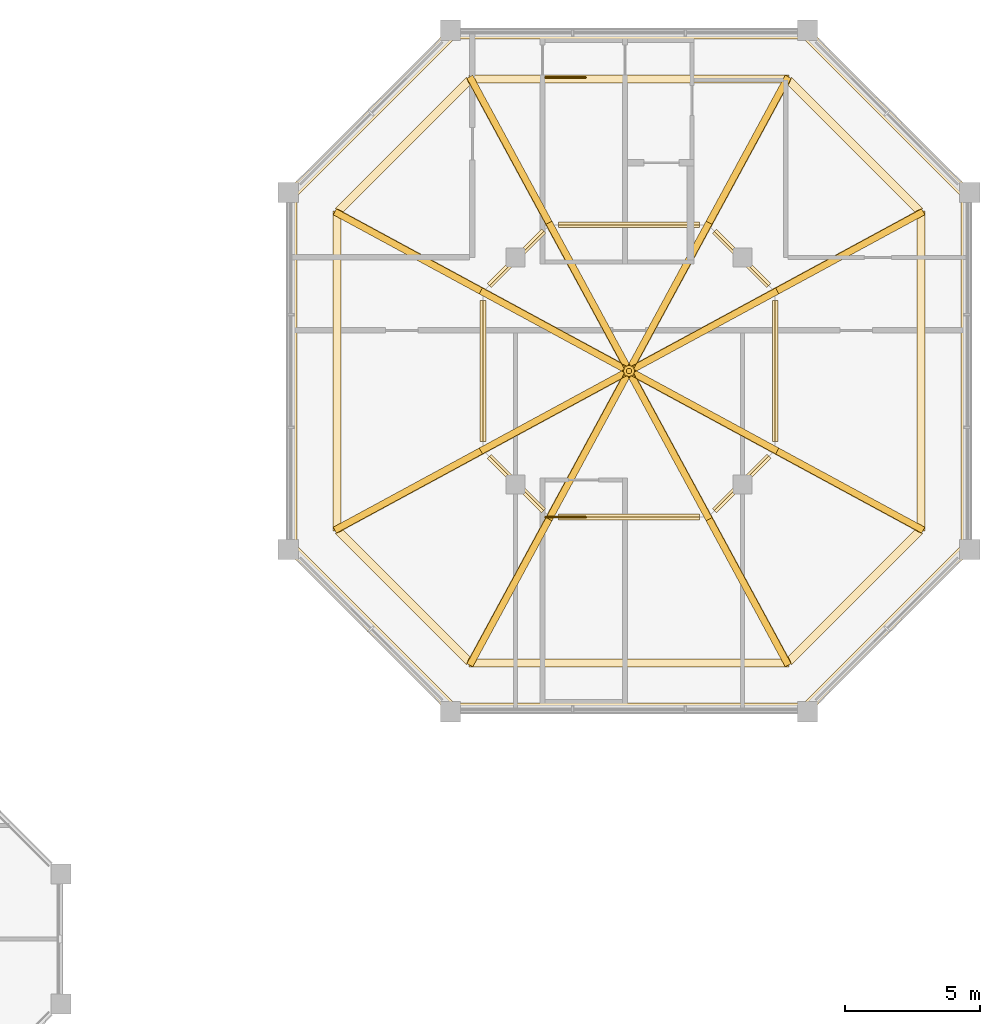
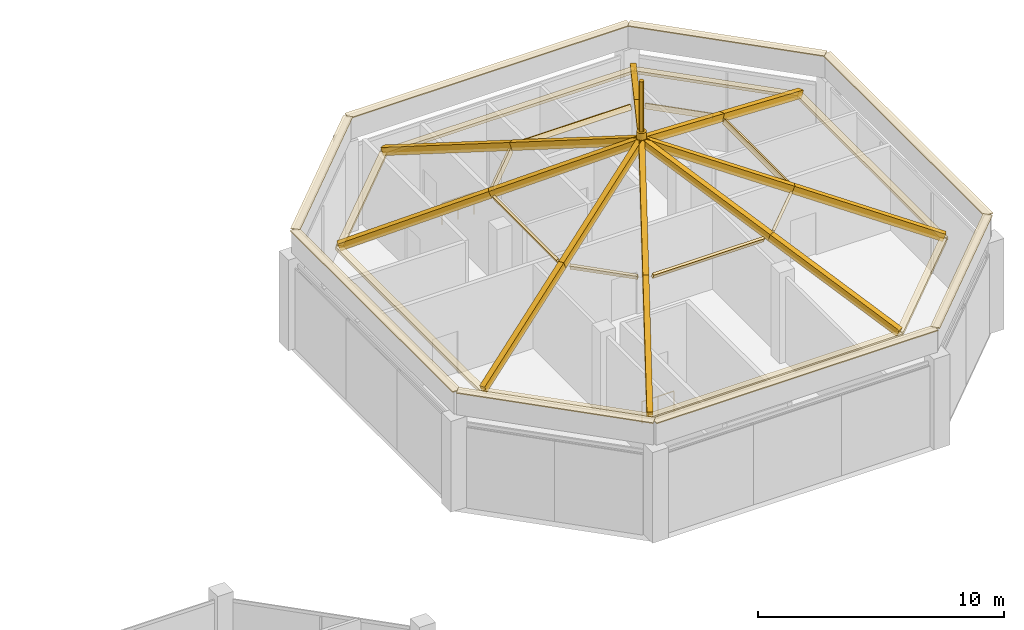
# One storey, part 9 of 9: 42 coverings, 2 railings.
"""IFC4 building model written with IfcOpenShell, lengths in metres."""

import ifcopenshell
import ifcopenshell.guid

model = None  # the IFC model being written
_history = None  # IfcOwnerHistory: only IFC2X3 demands one
_inside = {}  # id of a spatial element -> (the spatial element, [elements in it])
_under = {}  # id of a project, library or spatial element -> (it, [spatial elements below it])
_declared = {}  # id of a project -> (the project, [libraries it declares])
_typed = {}  # id of a type object -> (the type object, [elements of that type])
_made_of = {}  # id of a material, layer set ... -> (it, [elements and type objects made of it])


def new_model(schema):
    """Start an empty IFC model of exactly this schema.

    Asked for "IFC4X3", IfcOpenShell would pick the latest addendum, in which some entities
    have other attributes; the version numbers below select the first issue.
    IFC2X3 requires an IfcOwnerHistory on every rooted entity: one is made here for all.
    """
    global model, _history
    if schema == "IFC4X3":
        model = ifcopenshell.file(schema_version=(4, 3, 0, 0))
    else:
        model = ifcopenshell.file(schema=schema)
    _inside.clear()
    _under.clear()
    _declared.clear()
    _typed.clear()
    _made_of.clear()
    _history = None
    if model.schema == "IFC2X3":
        org = make("IfcOrganization", Name="unknown")
        user = make(
            "IfcPersonAndOrganization",
            ThePerson=make("IfcPerson", FamilyName="unknown"),
            TheOrganization=org,
        )
        app = make(
            "IfcApplication",
            ApplicationDeveloper=org,
            Version="unknown",
            ApplicationFullName="unknown",
            ApplicationIdentifier="unknown",
        )
        _history = make(
            "IfcOwnerHistory",
            OwningUser=user,
            OwningApplication=app,
            ChangeAction="ADDED",
            CreationDate=0,
        )
    return model


def make(cls, **values):
    """One entity of the class cls with the attributes given. An attribute that is None is left unset."""
    return model.create_entity(
        cls, **{name: value for name, value in values.items() if value is not None}
    )


def rooted(cls, **values):
    """An entity with a GlobalId (a new one), such as an element, a storey or a relation."""
    return make(cls, GlobalId=ifcopenshell.guid.new(), OwnerHistory=_history, **values)


def si_unit(unit_type, name, prefix=None):
    """IfcSIUnit, for example si_unit("LENGTHUNIT", "METRE", prefix="MILLI")."""
    return make("IfcSIUnit", UnitType=unit_type, Prefix=prefix, Name=name)


def assignment(units):
    """IfcUnitAssignment: the units of a project."""
    return None if units is None else make("IfcUnitAssignment", Units=units)


def point(xyz):
    """IfcCartesianPoint."""
    return None if xyz is None else make("IfcCartesianPoint", Coordinates=xyz)


def direction(xyz):
    """IfcDirection."""
    return None if xyz is None else make("IfcDirection", DirectionRatios=xyz)


def frame(location, z_axis=None, x_axis=None):
    """IfcAxis2Placement3D, a coordinate frame: its origin and axes. An axis left out is left unset."""
    return make(
        "IfcAxis2Placement3D",
        Location=point(location),
        Axis=direction(z_axis),
        RefDirection=direction(x_axis),
    )


def frame_2d(location, x_axis=None):
    """IfcAxis2Placement2D, a coordinate frame in the plane: its origin and x axis."""
    return make(
        "IfcAxis2Placement2D", Location=point(location), RefDirection=direction(x_axis)
    )


def origin():
    """The frame at (0, 0, 0) with its axes left unset."""
    return frame((0.0, 0.0, 0.0))


def origin_2d():
    """The frame at (0, 0) in the plane with its x axis left unset."""
    return frame_2d((0.0, 0.0))


def place(relative_to, where):
    """IfcLocalPlacement: puts the frame where relative to a parent placement (None: the world)."""
    return make(
        "IfcLocalPlacement", PlacementRelTo=relative_to, RelativePlacement=where
    )


def context(
    kind, dimensions, precision=None, world=None, true_north=None, identifier=None
):
    """IfcGeometricRepresentationContext, for example the 3D "Model" context."""
    return make(
        "IfcGeometricRepresentationContext",
        ContextIdentifier=identifier,
        ContextType=kind,
        CoordinateSpaceDimension=dimensions,
        Precision=precision,
        WorldCoordinateSystem=world,
        TrueNorth=true_north,
    )


def subcontext(parent, identifier, kind, view, scale=None):
    """IfcGeometricRepresentationSubContext, for example "Body" below "Model"."""
    return make(
        "IfcGeometricRepresentationSubContext",
        ContextIdentifier=identifier,
        ContextType=kind,
        ParentContext=parent,
        TargetScale=scale,
        TargetView=view,
    )


def project(units=None, contexts=None):
    """IfcProject with its units and contexts."""
    return rooted(
        "IfcProject",
        Name="project",
        RepresentationContexts=contexts,
        UnitsInContext=assignment(units),
    )


def spatial(cls, under=None, at=None, **own):
    """A site, building, storey or space (cls), placed at a placement, below another one or the project."""
    s = rooted(cls, ObjectPlacement=at, **own)
    if under is not None:
        _under.setdefault(under.id(), (under, []))[1].append(s)
    return s


def polyline(points):
    """IfcPolyline through the points."""
    return make("IfcPolyline", Points=[point(p) for p in points])


def profile(cls, at=None, kind="AREA", **sizes):
    """A parametric profile (cls). Its sizes go by their IFC names, for example OverallWidth=200.0."""
    return make(cls, ProfileType=kind, Position=at, **sizes)


def rectangle(**sizes):
    """IfcRectangleProfileDef."""
    return profile("IfcRectangleProfileDef", **sizes)


def circle(**sizes):
    """IfcCircleProfileDef."""
    return profile("IfcCircleProfileDef", **sizes)


def outline(outer, holes=None, kind="AREA"):
    """IfcArbitraryClosedProfileDef: a profile drawn as a closed curve; with holes, ...WithVoids."""
    if holes is None:
        return make("IfcArbitraryClosedProfileDef", ProfileType=kind, OuterCurve=outer)
    return make(
        "IfcArbitraryProfileDefWithVoids",
        ProfileType=kind,
        OuterCurve=outer,
        InnerCurves=holes,
    )


def extrude(swept, where, along, depth):
    """IfcExtrudedAreaSolid: the profile swept, set in the frame where, extruded along a direction by depth."""
    return make(
        "IfcExtrudedAreaSolid",
        SweptArea=swept,
        Position=where,
        ExtrudedDirection=direction(along),
        Depth=depth,
    )


def shape(context_of_items, identifier, shape_type, items):
    """IfcShapeRepresentation: the items that make up one representation, for example the "Body"."""
    return make(
        "IfcShapeRepresentation",
        ContextOfItems=context_of_items,
        RepresentationIdentifier=identifier,
        RepresentationType=shape_type,
        Items=items,
    )


def material(Name=None, Category=None):
    """IfcMaterial."""
    return make("IfcMaterial", Name=Name, Category=Category)


def layer(
    of_material, thickness, ventilated=None, Name=None, Category=None, Priority=None
):
    """IfcMaterialLayer: one layer of a wall or slab, of a material (None: an air gap)."""
    return make(
        "IfcMaterialLayer",
        Material=of_material,
        LayerThickness=thickness,
        IsVentilated=ventilated,
        Name=Name,
        Category=Category,
        Priority=Priority,
    )


def layer_set(layers, Name=None):
    """IfcMaterialLayerSet."""
    return make("IfcMaterialLayerSet", MaterialLayers=layers, LayerSetName=Name)


def material_profile(
    of_material, cross_section, Name=None, Category=None, Priority=None
):
    """IfcMaterialProfile: a cross section and its material."""
    return make(
        "IfcMaterialProfile",
        Name=Name,
        Material=of_material,
        Profile=cross_section,
        Priority=Priority,
        Category=Category,
    )


def profile_set(profiles, Name=None, composite=None):
    """IfcMaterialProfileSet."""
    return make(
        "IfcMaterialProfileSet",
        Name=Name,
        MaterialProfiles=profiles,
        CompositeProfile=composite,
    )


def made_of(thing, what):
    """Note that an element or type object is made of a material, layer set ...; save() writes the relation."""
    if what is not None:
        _made_of.setdefault(what.id(), (what, []))[1].append(thing)
    return thing


def type_object(cls, material=None, **own):
    """A type object (cls), such as IfcWallType, which elements share."""
    return made_of(rooted(cls, **own), material)


def element(
    cls,
    number,
    at=None,
    inside=None,
    cuts=None,
    type_object=None,
    material=None,
    context=None,
    identifier="Body",
    shape_type=None,
    held_by="IfcProductDefinitionShape",
    body=None,
    shapes=None,
    **own,
):
    """One element of the class cls, such as IfcWall. Its Tag is "e" and its number.

    at: its placement. inside: the storey or other place that contains it. cuts: it is an
    opening in that element (IfcRelVoidsElement). A single representation is given by context,
    identifier, shape_type and body (its items); several are given by shapes. held_by: the class
    of the entity that holds the representations. save() writes the other relations.
    """
    e = rooted(cls, Tag="e%d" % number, ObjectPlacement=at, **own)
    if body is not None:
        shapes = [shape(context, identifier, shape_type, body)]
    if shapes is not None:
        e.Representation = make(held_by, Representations=shapes)
    if inside is not None:
        _inside.setdefault(inside.id(), (inside, []))[1].append(e)
    if cuts is not None:
        rooted(
            "IfcRelVoidsElement", RelatingBuildingElement=cuts, RelatedOpeningElement=e
        )
    if type_object is not None:
        _typed.setdefault(type_object.id(), (type_object, []))[1].append(e)
    return made_of(e, material)


def aggregate(whole, parts):
    """IfcRelAggregates: a whole, such as a stair, and the parts it consists of."""
    return rooted("IfcRelAggregates", RelatingObject=whole, RelatedObjects=parts)


def save(model, path):
    """Write the relations noted so far, then the file.

    IfcRelAggregates (storeys below a building ...), IfcRelContainedInSpatialStructure (elements
    in a storey), IfcRelDefinesByType, IfcRelAssociatesMaterial and IfcRelDeclares: one each for
    every whole, place, type object, material and project.
    """
    for whole, parts in _under.values():
        aggregate(whole, parts)
    for where, things in _inside.values():
        rooted(
            "IfcRelContainedInSpatialStructure",
            RelatedElements=things,
            RelatingStructure=where,
        )
    for kind, things in _typed.values():
        rooted("IfcRelDefinesByType", RelatedObjects=things, RelatingType=kind)
    for what, things in _made_of.values():
        rooted("IfcRelAssociatesMaterial", RelatedObjects=things, RelatingMaterial=what)
    for by, libraries in _declared.values():
        rooted("IfcRelDeclares", RelatingContext=by, RelatedDefinitions=libraries)
    model.write(path)


model = new_model("IFC4")

# Units and contexts
model_context = context("Model", 3, precision=1e-05, world=origin(), true_north=direction((0.0, 1.0)))
body_context = subcontext(model_context, "Body", "Model", "MODEL_VIEW")
ifc_project = project(units=[si_unit("LENGTHUNIT", "METRE"), si_unit("AREAUNIT", "SQUARE_METRE"), si_unit("VOLUMEUNIT", "CUBIC_METRE"), si_unit("PLANEANGLEUNIT", "RADIAN"), si_unit("MASSUNIT", "GRAM", prefix="KILO")], contexts=[model_context])

# Site, building, storey
site_placement = place(None, origin())
site = spatial("IfcSite", under=ifc_project, at=site_placement, CompositionType="ELEMENT")
building_placement = place(site_placement, origin())
building = spatial("IfcBuilding", under=site, at=building_placement, Name="Kawkab Arch Medical Tower", CompositionType="ELEMENT")
storey_placement = place(building_placement, frame((0.0, 0.0, 350.199951171875)))
storey = spatial("IfcBuildingStorey", under=building, at=storey_placement, Name="L81", CompositionType="ELEMENT", Elevation=350.199951171875)

# Coverings
ifc_material_1 = material(Name="Bronze painted steel hip rib", Category="steel")
ifc_layer_1 = layer(ifc_material_1, 0.3701171875)
ifc_layer_set_1 = layer_set([ifc_layer_1], Name="Bronze painted steel hip rib")
covering_type_1 = type_object("IfcCoveringType", Name="Crown hip rib 250 x 370", PredefinedType="CLADDING", material=ifc_layer_set_1)
covering_1_placement = place(storey_placement, frame((40.425537109375, -23.53515625, 4.848388671875), z_axis=(-0.139600179357, -0.352698236465, 0.925265228958), x_axis=(0.441410390428, 0.814271232946, 0.376987037469)))
element("IfcCovering", 1, at=covering_1_placement, inside=storey, type_object=covering_type_1, Name="Crown hip rib, peak A 1 row 1", PredefinedType="CLADDING", context=body_context, shape_type="SweptSolid", body=[
    extrude(outline(polyline([(0.0, 0.0), (6.6315695740240095, 1.3877787807814457e-16), (6.631507520814353, 0.25006209204701574), (4.571299894343475e-05, 0.24984569079651028), (0.0, 0.0)])), origin(), (0.0, 0.0, -1.0), 0.3701171875),
])
covering_2_placement = place(storey_placement, frame((52.196044921875, -23.419921875, 4.85888671875), z_axis=(0.139538641008, -0.35272756215, 0.925263332552), x_axis=(-0.441410749155, 0.814272139266, 0.376984659828)))
element("IfcCovering", 2, at=covering_2_placement, inside=storey, type_object=covering_type_1, Name="Crown hip rib, peak A 2 row 1", PredefinedType="CLADDING", context=body_context, shape_type="SweptSolid", body=[
    extrude(outline(polyline([(0.0, 0.0), (6.631569574045905, -1.1102230246251565e-16), (6.631631627299352, 0.25006209262765444), (6.205325344695381e-05, 0.2500620926276546), (0.0, 0.0)])), origin(), (0.0, 0.0, -1.0), 0.3701171875),
])
covering_3_placement = place(storey_placement, frame((57.13525390625, -18.37451171875, 4.848388671875), z_axis=(0.352654126435, -0.139653768031, 0.925273955206), x_axis=(-0.814284543892, 0.441397517124, 0.376973359078)))
element("IfcCovering", 3, at=covering_3_placement, inside=storey, type_object=covering_type_1, Name="Crown hip rib, peak A 3 row 1", PredefinedType="CLADDING", context=body_context, shape_type="SweptSolid", body=[
    extrude(outline(polyline([(0.0, 0.0), (6.631768372469164, 5.551115123125783e-17), (6.631818326357337, 0.2498456905657364), (4.9953888172099385e-05, 0.24984569056573644), (0.0, 0.0)])), origin(), (0.0, 0.0, -1.0), 0.3701171875),
])
covering_4_placement = place(storey_placement, frame((57.02001953125, -6.60400390625, 4.85888671875), z_axis=(0.352687663522, 0.13959444833, 0.925270123799), x_axis=(-0.814283637663, -0.441397158437, 0.376975736563)))
element("IfcCovering", 4, at=covering_4_placement, inside=storey, type_object=covering_type_1, Name="Crown hip rib, peak A 4 row 1", PredefinedType="CLADDING", context=body_context, shape_type="SweptSolid", body=[
    extrude(outline(polyline([(0.0, 0.0), (6.631768372447272, 2.498001805406602e-16), (6.631718418602885, 0.24984568998464046), (5.780913374703496e-05, 0.25006209306422056), (0.0, 0.0)])), origin(), (0.0, 0.0, -1.0), 0.3701171875),
])
covering_5_placement = place(storey_placement, frame((51.974365234375, -1.664794921875, 4.848388671875), z_axis=(0.139688363525, 0.35264290682, 0.925273009098), x_axis=(-0.441411655917, -0.814274428379, 0.37697865365)))
element("IfcCovering", 5, at=covering_5_placement, inside=storey, type_object=covering_type_1, Name="Crown hip rib, peak A 5 row 1", PredefinedType="CLADDING", context=body_context, shape_type="SweptSolid", body=[
    extrude(outline(polyline([(0.0, 0.0), (6.631569573906189, -2.7755575615628914e-16), (6.631706317841176, 0.2501746587032209), (-6.205353287893657e-05, 0.25006208892237747), (0.0, 0.0)])), origin(), (0.0, 0.0, -1.0), 0.3701171875),
])
covering_6_placement = place(storey_placement, frame((40.2041015625, -1.780029296875, 4.85888671875), z_axis=(-0.139749953798, 0.352613552581, 0.925274895882), x_axis=(0.441367327528, -0.814296393785, 0.376983110046)))
element("IfcCovering", 6, at=covering_6_placement, inside=storey, type_object=covering_type_1, Name="Crown hip rib, peak A 6 row 1", PredefinedType="CLADDING", context=body_context, shape_type="SweptSolid", body=[
    extrude(outline(polyline([(0.0, 0.0), (6.6316606129709355, -1.1102230246251565e-16), (6.631511459016506, 0.2501746539662907), (-5.810681911320222e-05, 0.2498456874514207), (0.0, 0.0)])), origin(), (0.0, 0.0, -1.0), 0.3701171875),
])
covering_7_placement = place(storey_placement, frame((35.264892578125, -6.82568359375, 4.848388671875), z_axis=(-0.352698236465, 0.139600179357, 0.925265228958), x_axis=(0.814286277703, -0.441381465403, 0.376988408233)))
element("IfcCovering", 7, at=covering_7_placement, inside=storey, type_object=covering_type_1, Name="Crown hip rib, peak A 7 row 1", PredefinedType="CLADDING", context=body_context, shape_type="SweptSolid", body=[
    extrude(outline(polyline([(0.0, 0.0), (6.631461811346266, -5.551115123125783e-16), (6.631515677437439, 0.24984568917175204), (-5.389305565458181e-05, 0.25006209393882467), (0.0, 0.0)])), origin(), (0.0, 0.0, -1.0), 0.3701171875),
])
covering_8_placement = place(storey_placement, frame((35.380126953125, -18.595947265625, 4.85888671875), z_axis=(-0.352664697008, -0.139659500952, 0.925269061019), x_axis=(0.814272139266, 0.441410749155, 0.376984659828)))
element("IfcCovering", 8, at=covering_8_placement, inside=storey, type_object=covering_type_1, Name="Crown hip rib, peak A 8 row 1", PredefinedType="CLADDING", context=body_context, shape_type="SweptSolid", body=[
    extrude(outline(polyline([(0.0, 0.0), (6.631569574045905, -8.326672684688674e-17), (6.6315238610031715, 0.2498456913776549), (-4.5713042733358696e-05, 0.2498456913776549), (0.0, 0.0)])), origin(), (0.0, 0.0, -1.0), 0.3701171875),
])
covering_9_placement = place(storey_placement, frame((43.352783203125, -18.13525390625, 7.348388671875), z_axis=(-0.139532912026, -0.352716987113, 0.925268227847), x_axis=(0.441397517124, 0.814284543892, 0.376973359078)))
element("IfcCovering", 9, at=covering_9_placement, inside=storey, type_object=covering_type_1, Name="Crown hip rib, peak A 1 row 2", PredefinedType="CLADDING", context=body_context, shape_type="SweptSolid", body=[
    extrude(outline(polyline([(0.0, 0.0), (6.631768372469164, 1.249000902703301e-16), (6.631710563291633, 0.25006209364481236), (-5.7809177532020146e-05, 0.25006209364481247), (0.0, 0.0)])), origin(), (0.0, 0.0, -1.0), 0.3701171875),
])
covering_10_placement = place(storey_placement, frame((49.268798828125, -18.02001953125, 7.35888671875), z_axis=(0.13959444833, -0.352687663522, 0.925270123799), x_axis=(-0.441397158437, 0.814283637663, 0.376975736563)))
element("IfcCovering", 10, at=covering_10_placement, inside=storey, type_object=covering_type_1, Name="Crown hip rib, peak A 2 row 2", PredefinedType="CLADDING", context=body_context, shape_type="SweptSolid", body=[
    extrude(outline(polyline([(0.0, 0.0), (6.631768372447272, 2.498001805406602e-16), (6.631718418602885, 0.24984568998464046), (5.780913374703496e-05, 0.25006209306422056), (0.0, 0.0)])), origin(), (0.0, 0.0, -1.0), 0.3701171875),
])
covering_11_placement = place(storey_placement, frame((51.735107421875, -15.447265625, 7.348388671875), z_axis=(0.352698236465, -0.139600179357, 0.925265228958), x_axis=(-0.814271232946, 0.441410390428, 0.376987037469)))
element("IfcCovering", 11, at=covering_11_placement, inside=storey, type_object=covering_type_1, Name="Crown hip rib, peak A 3 row 2", PredefinedType="CLADDING", context=body_context, shape_type="SweptSolid", body=[
    extrude(outline(polyline([(0.0, 0.0), (6.6315695740240095, 1.3877787807814457e-16), (6.631507520814353, 0.25006209204701574), (4.571299894343475e-05, 0.24984569079651028), (0.0, 0.0)])), origin(), (0.0, 0.0, -1.0), 0.3701171875),
])
covering_12_placement = place(storey_placement, frame((51.619873046875, -9.53125, 7.35888671875), z_axis=(0.352664697008, 0.139659500952, 0.925269061019), x_axis=(-0.814272139266, -0.441410749155, 0.376984659828)))
element("IfcCovering", 12, at=covering_12_placement, inside=storey, type_object=covering_type_1, Name="Crown hip rib, peak A 4 row 2", PredefinedType="CLADDING", context=body_context, shape_type="SweptSolid", body=[
    extrude(outline(polyline([(0.0, 0.0), (6.631569574045905, -8.326672684688674e-17), (6.6315238610031715, 0.2498456913776549), (-4.5713042733358696e-05, 0.2498456913776549), (0.0, 0.0)])), origin(), (0.0, 0.0, -1.0), 0.3701171875),
])
covering_13_placement = place(storey_placement, frame((49.047119140625, -7.064697265625, 7.348388671875), z_axis=(0.139749953798, 0.352613552581, 0.925274895882), x_axis=(-0.441367327528, -0.814296393785, 0.376983110046)))
element("IfcCovering", 13, at=covering_13_placement, inside=storey, type_object=covering_type_1, Name="Crown hip rib, peak A 5 row 2", PredefinedType="CLADDING", context=body_context, shape_type="SweptSolid", body=[
    extrude(outline(polyline([(0.0, 0.0), (6.6316606129709355, 1.1102230246251565e-16), (6.631718719790049, 0.2498456874514209), (0.0001491539544300124, 0.2501746539662909), (0.0, 0.0)])), origin(), (0.0, 0.0, -1.0), 0.3701171875),
])
covering_14_placement = place(storey_placement, frame((43.131103515625, -7.18017578125, 7.35888671875), z_axis=(-0.139688363525, 0.35264290682, 0.925273009098), x_axis=(0.441411655917, -0.814274428379, 0.37697865365)))
element("IfcCovering", 14, at=covering_14_placement, inside=storey, type_object=covering_type_1, Name="Crown hip rib, peak A 6 row 2", PredefinedType="CLADDING", context=body_context, shape_type="SweptSolid", body=[
    extrude(outline(polyline([(0.0, 0.0), (6.631569573906189, 2.7755575615628914e-16), (6.631631627439067, 0.2500620889223776), (-0.00013674393498711544, 0.2501746587032207), (0.0, 0.0)])), origin(), (0.0, 0.0, -1.0), 0.3701171875),
])
covering_15_placement = place(storey_placement, frame((40.664794921875, -9.752685546875, 7.348388671875), z_axis=(-0.352579981054, 0.139809323129, 0.925278720239), x_axis=(0.814274427562, -0.44141165654, 0.376978654685)))
element("IfcCovering", 15, at=covering_15_placement, inside=storey, type_object=covering_type_1, Name="Crown hip rib, peak A 7 row 2", PredefinedType="CLADDING", context=body_context, shape_type="SweptSolid", body=[
    extrude(outline(polyline([(0.0, 0.0), (6.631569573906239, 3.608224830031759e-16), (6.631814084137309, 0.24995826919971642), (4.571276340334385e-05, 0.24984568767061235), (0.0, 0.0)])), origin(), (0.0, 0.0, -1.0), 0.3701171875),
])
covering_16_placement = place(storey_placement, frame((40.780029296875, -15.668701171875, 7.35888671875), z_axis=(-0.352613552581, -0.139749953798, 0.925274895882), x_axis=(0.814296393785, 0.441367327528, 0.376983110046)))
element("IfcCovering", 16, at=covering_16_placement, inside=storey, type_object=covering_type_1, Name="Crown hip rib, peak A 8 row 2", PredefinedType="CLADDING", context=body_context, shape_type="SweptSolid", body=[
    extrude(outline(polyline([(0.0, 0.0), (6.6316606129709355, -1.1102230246251565e-16), (6.631511459016506, 0.2501746539662907), (-5.810681911320222e-05, 0.2498456874514207), (0.0, 0.0)])), origin(), (0.0, 0.0, -1.0), 0.3701171875),
])
ifc_material_2 = material(Name="Bronze anodised aluminium joint bar", Category="aluminium")
ifc_layer_2 = layer(ifc_material_2, 0.239990234375)
ifc_layer_set_2 = layer_set([ifc_layer_2], Name="Bronze anodised aluminium joint bar")
covering_type_2 = type_object("IfcCoveringType", Name="Crown joint bar 120 x 240", PredefinedType="CLADDING", material=ifc_layer_set_2)
covering_17_placement = place(storey_placement, frame((43.597900390625, -18.10498046875, 7.233642578125), z_axis=(0.0, -0.420991794405, 0.907064445915), x_axis=(1.0, 0.0, 0.0)))
element("IfcCovering", 17, at=covering_17_placement, inside=storey, type_object=covering_type_2, Name="Crown joint bar, peak A face 1 ring 1", PredefinedType="CLADDING", context=body_context, shape_type="SweptSolid", body=[
    extrude(outline(polyline([(0.0, 0.0), (5.204345703125, 0.0), (5.204345703125, 0.12004297957032853), (0.0, 0.12004297957032853), (0.0, 0.0)])), origin(), (0.0, 0.0, -1.0), 0.239990234375),
])
covering_18_placement = place(storey_placement, frame((49.42919921875, -17.84228515625, 7.237060546875), z_axis=(0.276538520858, -0.276538520858, 0.920354764731), x_axis=(0.707106781187, 0.707106781187, 0.0)))
element("IfcCovering", 18, at=covering_18_placement, inside=storey, type_object=covering_type_2, Name="Crown joint bar, peak A face 2 ring 1", PredefinedType="CLADDING", context=body_context, shape_type="SweptSolid", body=[
    extrude(outline(polyline([(0.0, 0.0), (2.8470715418282575, 0.0), (2.846898908336757, 0.11985899926441121), (-0.00017263349150062335, 0.11985899926441125), (0.0, 0.0)])), origin(), (0.0, 0.0, -1.0), 0.239990234375),
])
covering_19_placement = place(storey_placement, frame((51.704833984375, -15.2021484375, 7.233642578125), z_axis=(0.420991794405, 0.0, 0.907064445915), x_axis=(0.0, 1.0, 0.0)))
element("IfcCovering", 19, at=covering_19_placement, inside=storey, type_object=covering_type_2, Name="Crown joint bar, peak A face 3 ring 1", PredefinedType="CLADDING", context=body_context, shape_type="SweptSolid", body=[
    extrude(outline(polyline([(0.0, 0.0), (5.204345703125, 0.0), (5.204345703125, 0.12004297957032853), (0.0, 0.12004297957032853), (0.0, 0.0)])), origin(), (0.0, 0.0, -1.0), 0.239990234375),
])
covering_20_placement = place(storey_placement, frame((51.4423828125, -9.370849609375, 7.237060546875), z_axis=(0.276172385369, 0.276172385369, 0.920574617898), x_axis=(-0.707106781187, 0.707106781187, 0.0)))
element("IfcCovering", 20, at=covering_20_placement, inside=storey, type_object=covering_type_2, Name="Crown joint bar, peak A face 4 ring 1", PredefinedType="CLADDING", context=body_context, shape_type="SweptSolid", body=[
    extrude(outline(polyline([(0.0, 0.0), (2.8470715418282575, 0.0), (2.8470715418282575, 0.12001790231044693), (0.0, 0.12001790231044698), (0.0, 0.0)])), origin(), (0.0, 0.0, -1.0), 0.239990234375),
])
covering_21_placement = place(storey_placement, frame((48.80224609375, -7.09521484375, 7.233642578125), z_axis=(0.0, 0.420991794405, 0.907064445915), x_axis=(-1.0, 0.0, 0.0)))
element("IfcCovering", 21, at=covering_21_placement, inside=storey, type_object=covering_type_2, Name="Crown joint bar, peak A face 5 ring 1", PredefinedType="CLADDING", context=body_context, shape_type="SweptSolid", body=[
    extrude(outline(polyline([(0.0, 0.0), (5.204345703125, 0.0), (5.204345703125, 0.12004297957032853), (0.0, 0.12004297957032853), (0.0, 0.0)])), origin(), (0.0, 0.0, -1.0), 0.239990234375),
])
covering_22_placement = place(storey_placement, frame((42.970703125, -7.357666015625, 7.237060546875), z_axis=(-0.276172385369, 0.276172385369, 0.920574617898), x_axis=(-0.707106781187, -0.707106781187, 0.0)))
element("IfcCovering", 22, at=covering_22_placement, inside=storey, type_object=covering_type_2, Name="Crown joint bar, peak A face 6 ring 1", PredefinedType="CLADDING", context=body_context, shape_type="SweptSolid", body=[
    extrude(outline(polyline([(0.0, 0.0), (2.8470715418282575, 0.0), (2.8470715418282575, 0.12001790231044693), (0.0, 0.12001790231044698), (0.0, 0.0)])), origin(), (0.0, 0.0, -1.0), 0.239990234375),
])
covering_23_placement = place(storey_placement, frame((40.695068359375, -9.997802734375, 7.233642578125), z_axis=(-0.420991794405, 0.0, 0.907064445915), x_axis=(0.0, -1.0, 0.0)))
element("IfcCovering", 23, at=covering_23_placement, inside=storey, type_object=covering_type_2, Name="Crown joint bar, peak A face 7 ring 1", PredefinedType="CLADDING", context=body_context, shape_type="SweptSolid", body=[
    extrude(outline(polyline([(0.0, 0.0), (5.204345703125, 0.0), (5.204345703125, 0.12004297957032853), (0.0, 0.12004297957032853), (0.0, 0.0)])), origin(), (0.0, 0.0, -1.0), 0.239990234375),
])
covering_24_placement = place(storey_placement, frame((40.95751953125, -15.8291015625, 7.237060546875), z_axis=(-0.276538520858, -0.276538520858, 0.920354764731), x_axis=(0.707106781187, -0.707106781187, 0.0)))
element("IfcCovering", 24, at=covering_24_placement, inside=storey, type_object=covering_type_2, Name="Crown joint bar, peak A face 8 ring 1", PredefinedType="CLADDING", context=body_context, shape_type="SweptSolid", body=[
    extrude(outline(polyline([(0.0, 0.0), (2.8470715418282575, 0.0), (2.847244175319758, 0.11985899926441143), (0.00017263349150062335, 0.11985899926441125), (0.0, 0.0)])), origin(), (0.0, 0.0, -1.0), 0.239990234375),
])
ifc_material_3 = material(Name="Bronze anodised aluminium sill", Category="aluminium")
ifc_layer_3 = layer(ifc_material_3, 0.14990234375)
ifc_layer_set_3 = layer_set([ifc_layer_3], Name="Bronze anodised aluminium sill")
covering_type_3 = type_object("IfcCoveringType", Name="Crown sill 300 x 150", PredefinedType="CLADDING", material=ifc_layer_set_3)
covering_25_placement = place(storey_placement, frame((46.199951171875, -23.39990234375, 4.5), z_axis=(0.0, 0.0, 1.0), x_axis=(1.0, 0.0, 0.0)))
element("IfcCovering", 25, at=covering_25_placement, inside=storey, type_object=covering_type_3, Name="Crown sill, peak A 1", PredefinedType="CLADDING", context=body_context, shape_type="SweptSolid", body=[
    extrude(rectangle(XDim=11.8330078125, YDim=0.300048828125, at=origin_2d()), origin(), (0.0, 0.0, 1.0), 0.14990234375),
])
covering_26_placement = place(storey_placement, frame((54.527099609375, -20.92724609375, 4.5), z_axis=(0.0, 0.0, 1.0), x_axis=(0.707106781187, 0.707106781187, 0.0)))
element("IfcCovering", 26, at=covering_26_placement, inside=storey, type_object=covering_type_3, Name="Crown sill, peak A 2", PredefinedType="CLADDING", context=body_context, shape_type="SweptSolid", body=[
    extrude(rectangle(XDim=6.869873046875, YDim=0.300048828125, at=origin_2d()), origin(), (0.0, 0.0, 1.0), 0.14990234375),
])
covering_27_placement = place(storey_placement, frame((57.0, -12.60009765625, 4.5), z_axis=(0.0, 0.0, 1.0), x_axis=(0.0, 1.0, 0.0)))
element("IfcCovering", 27, at=covering_27_placement, inside=storey, type_object=covering_type_3, Name="Crown sill, peak A 3", PredefinedType="CLADDING", context=body_context, shape_type="SweptSolid", body=[
    extrude(rectangle(XDim=11.8330078125, YDim=0.300048828125, at=origin_2d()), origin(), (0.0, 0.0, 1.0), 0.14990234375),
])
covering_28_placement = place(storey_placement, frame((54.527099609375, -4.272705078125, 4.5), z_axis=(0.0, 0.0, 1.0), x_axis=(-0.707106781187, 0.707106781187, 0.0)))
element("IfcCovering", 28, at=covering_28_placement, inside=storey, type_object=covering_type_3, Name="Crown sill, peak A 4", PredefinedType="CLADDING", context=body_context, shape_type="SweptSolid", body=[
    extrude(rectangle(XDim=6.869873046875, YDim=0.300048828125, at=origin_2d()), origin(), (0.0, 0.0, 1.0), 0.14990234375),
])
covering_29_placement = place(storey_placement, frame((46.199951171875, -1.800048828125, 4.5), z_axis=(0.0, 0.0, 1.0), x_axis=(-1.0, 0.0, 0.0)))
element("IfcCovering", 29, at=covering_29_placement, inside=storey, type_object=covering_type_3, Name="Crown sill, peak A 5", PredefinedType="CLADDING", context=body_context, shape_type="SweptSolid", body=[
    extrude(rectangle(XDim=11.8330078125, YDim=0.300048828125, at=origin_2d()), origin(), (0.0, 0.0, 1.0), 0.14990234375),
])
covering_30_placement = place(storey_placement, frame((37.872802734375, -4.272705078125, 4.5), z_axis=(0.0, 0.0, 1.0), x_axis=(-0.707106781187, -0.707106781187, 0.0)))
element("IfcCovering", 30, at=covering_30_placement, inside=storey, type_object=covering_type_3, Name="Crown sill, peak A 6", PredefinedType="CLADDING", context=body_context, shape_type="SweptSolid", body=[
    extrude(rectangle(XDim=6.869873046875, YDim=0.300048828125, at=origin_2d()), origin(), (0.0, 0.0, 1.0), 0.14990234375),
])
covering_31_placement = place(storey_placement, frame((35.39990234375, -12.60009765625, 4.5), z_axis=(0.0, 0.0, 1.0), x_axis=(0.0, -1.0, 0.0)))
element("IfcCovering", 31, at=covering_31_placement, inside=storey, type_object=covering_type_3, Name="Crown sill, peak A 7", PredefinedType="CLADDING", context=body_context, shape_type="SweptSolid", body=[
    extrude(rectangle(XDim=11.8330078125, YDim=0.300048828125, at=origin_2d()), origin(), (0.0, 0.0, 1.0), 0.14990234375),
])
covering_32_placement = place(storey_placement, frame((37.872802734375, -20.92724609375, 4.5), z_axis=(0.0, 0.0, 1.0), x_axis=(0.707106781187, -0.707106781187, 0.0)))
element("IfcCovering", 32, at=covering_32_placement, inside=storey, type_object=covering_type_3, Name="Crown sill, peak A 8", PredefinedType="CLADDING", context=body_context, shape_type="SweptSolid", body=[
    extrude(rectangle(XDim=6.869873046875, YDim=0.300048828125, at=origin_2d()), origin(), (0.0, 0.0, 1.0), 0.14990234375),
])
ifc_material_4 = material(Name="Bronze anodised aluminium spire", Category="aluminium")
ifc_material_profile_1 = material_profile(ifc_material_4, circle(Radius=0.10009765625, at=origin_2d()), Name="Finial 200")
ifc_profile_set_1 = profile_set([ifc_material_profile_1], Name="Bronze anodised aluminium spire")
covering_type_4 = type_object("IfcCoveringType", Name="Finial 200", PredefinedType="CLADDING", material=ifc_profile_set_1)
placement = place(storey_placement, frame((46.199951171875, -12.60009765625, 9.35009765625), z_axis=(0.0, 0.0, 1.0), x_axis=(1.0, 0.0, 0.0)))
element("IfcCovering", 33, at=placement, inside=storey, type_object=covering_type_4, Name="Finial, peak A", PredefinedType="CLADDING", context=body_context, shape_type="SweptSolid", body=[
    extrude(circle(Radius=0.10009765625, at=origin_2d()), origin(), (0.0, 0.0, 1.0), 3.300048828125),
])
ifc_material_5 = material(Name="Bronze anodised aluminium spire", Category="aluminium")
ifc_material_profile_2 = material_profile(ifc_material_5, circle(Radius=0.199951171875, at=origin_2d()), Name="Finial cap 400")
ifc_profile_set_2 = profile_set([ifc_material_profile_2], Name="Bronze anodised aluminium spire")
covering_type_5 = type_object("IfcCoveringType", Name="Finial cap 400", PredefinedType="CLADDING", material=ifc_profile_set_2)
element("IfcCovering", 34, at=placement, inside=storey, type_object=covering_type_5, Name="Finial base, peak A", PredefinedType="CLADDING", context=body_context, shape_type="SweptSolid", body=[
    extrude(circle(Radius=0.199951171875, at=origin_2d()), origin(), (0.0, 0.0, 1.0), 0.800048828125),
])
ifc_material_6 = material(Name="Bronze anodised aluminium coping", Category="aluminium")
ifc_layer_4 = layer(ifc_material_6, 0.050048828125)
ifc_layer_set_4 = layer_set([ifc_layer_4], Name="Bronze anodised aluminium coping")
covering_type_6 = type_object("IfcCoveringType", Name="Parapet coping 400 x 50", PredefinedType="CLADDING", material=ifc_layer_set_4)
covering_35_placement = place(storey_placement, frame((46.199951171875, -25.074951171875, 5.60009765625), z_axis=(0.0, 0.0, 1.0), x_axis=(1.0, 0.0, 0.0)))
element("IfcCovering", 35, at=covering_35_placement, inside=storey, type_object=covering_type_6, Name="Parapet coping, crown peak A 1", PredefinedType="CLADDING", context=body_context, shape_type="SweptSolid", body=[
    extrude(rectangle(XDim=13.199951171875, YDim=0.39990234375, at=origin_2d()), origin(), (0.0, 0.0, 1.0), 0.050048828125),
])
covering_36_placement = place(storey_placement, frame((55.711669921875, -22.111572265625, 5.60009765625), z_axis=(0.0, 0.0, 1.0), x_axis=(0.707106781187, 0.707106781187, 0.0)))
element("IfcCovering", 36, at=covering_36_placement, inside=storey, type_object=covering_type_6, Name="Parapet coping, crown peak A 2", PredefinedType="CLADDING", context=body_context, shape_type="SweptSolid", body=[
    extrude(rectangle(XDim=8.2783203125, YDim=0.39990234375, at=origin_2d()), origin(), (0.0, 0.0, 1.0), 0.050048828125),
])
covering_37_placement = place(storey_placement, frame((58.675048828125, -12.60009765625, 5.60009765625), z_axis=(0.0, 0.0, 1.0), x_axis=(0.0, 1.0, 0.0)))
element("IfcCovering", 37, at=covering_37_placement, inside=storey, type_object=covering_type_6, Name="Parapet coping, crown peak A 3", PredefinedType="CLADDING", context=body_context, shape_type="SweptSolid", body=[
    extrude(rectangle(XDim=13.199951171875, YDim=0.39990234375, at=origin_2d()), origin(), (0.0, 0.0, 1.0), 0.050048828125),
])
covering_38_placement = place(storey_placement, frame((55.711669921875, -3.08837890625, 5.60009765625), z_axis=(0.0, 0.0, 1.0), x_axis=(-0.707106781187, 0.707106781187, 0.0)))
element("IfcCovering", 38, at=covering_38_placement, inside=storey, type_object=covering_type_6, Name="Parapet coping, crown peak A 4", PredefinedType="CLADDING", context=body_context, shape_type="SweptSolid", body=[
    extrude(rectangle(XDim=8.2783203125, YDim=0.39990234375, at=origin_2d()), origin(), (0.0, 0.0, 1.0), 0.050048828125),
])
covering_39_placement = place(storey_placement, frame((46.199951171875, -0.125, 5.60009765625), z_axis=(0.0, 0.0, 1.0), x_axis=(-1.0, 0.0, 0.0)))
element("IfcCovering", 39, at=covering_39_placement, inside=storey, type_object=covering_type_6, Name="Parapet coping, crown peak A 5", PredefinedType="CLADDING", context=body_context, shape_type="SweptSolid", body=[
    extrude(rectangle(XDim=13.199951171875, YDim=0.39990234375, at=origin_2d()), origin(), (0.0, 0.0, 1.0), 0.050048828125),
])
covering_40_placement = place(storey_placement, frame((36.6884765625, -3.08837890625, 5.60009765625), z_axis=(0.0, 0.0, 1.0), x_axis=(-0.707106781187, -0.707106781187, 0.0)))
element("IfcCovering", 40, at=covering_40_placement, inside=storey, type_object=covering_type_6, Name="Parapet coping, crown peak A 6", PredefinedType="CLADDING", context=body_context, shape_type="SweptSolid", body=[
    extrude(rectangle(XDim=8.2783203125, YDim=0.39990234375, at=origin_2d()), origin(), (0.0, 0.0, 1.0), 0.050048828125),
])
covering_41_placement = place(storey_placement, frame((33.72509765625, -12.60009765625, 5.60009765625), z_axis=(0.0, 0.0, 1.0), x_axis=(0.0, -1.0, 0.0)))
element("IfcCovering", 41, at=covering_41_placement, inside=storey, type_object=covering_type_6, Name="Parapet coping, crown peak A 7", PredefinedType="CLADDING", context=body_context, shape_type="SweptSolid", body=[
    extrude(rectangle(XDim=13.199951171875, YDim=0.39990234375, at=origin_2d()), origin(), (0.0, 0.0, 1.0), 0.050048828125),
])
covering_42_placement = place(storey_placement, frame((36.6884765625, -22.111572265625, 5.60009765625), z_axis=(0.0, 0.0, 1.0), x_axis=(0.707106781187, -0.707106781187, 0.0)))
element("IfcCovering", 42, at=covering_42_placement, inside=storey, type_object=covering_type_6, Name="Parapet coping, crown peak A 8", PredefinedType="CLADDING", context=body_context, shape_type="SweptSolid", body=[
    extrude(rectangle(XDim=8.2783203125, YDim=0.39990234375, at=origin_2d()), origin(), (0.0, 0.0, 1.0), 0.050048828125),
])

# Railings
ifc_material_7 = material(Name="Stainless steel", Category="steel")
railing_type = type_object("IfcRailingType", Name="Stair guard 1100", PredefinedType="GUARDRAIL", material=ifc_material_7)
for number, where, name in (
    (43, (43.10009765625, -1.75, 0.0), "L81 ST5 top well guard 1"),
    (44, (43.10009765625, -18.0, 0.0), "L81 ST8 top well guard 1"),
):
    element("IfcRailing", number, at=place(storey_placement, frame(where)), inside=storey, type_object=railing_type, Name=name, PredefinedType="GUARDRAIL", context=body_context, shape_type="SweptSolid", body=[
        extrude(circle(Radius=0.02392578125, at=origin_2d()), frame((0.0, 0.0, 1.076171875), z_axis=(1.0, 0.0, 0.0), x_axis=(0.0, 1.0, 0.0)), (0.0, 0.0, 1.0), 1.5),
        extrude(circle(Radius=0.02099609375, at=origin_2d()), origin(), (0.0, 0.0, 1.0), 1.052001953125),
        extrude(circle(Radius=0.02099609375, at=origin_2d()), frame((0.75, 0.0, 0.0)), (0.0, 0.0, 1.0), 1.052001953125),
        extrude(circle(Radius=0.02099609375, at=origin_2d()), frame((1.5, 0.0, 0.0)), (0.0, 0.0, 1.0), 1.052001953125),
    ])

save(model, "model.ifc")
